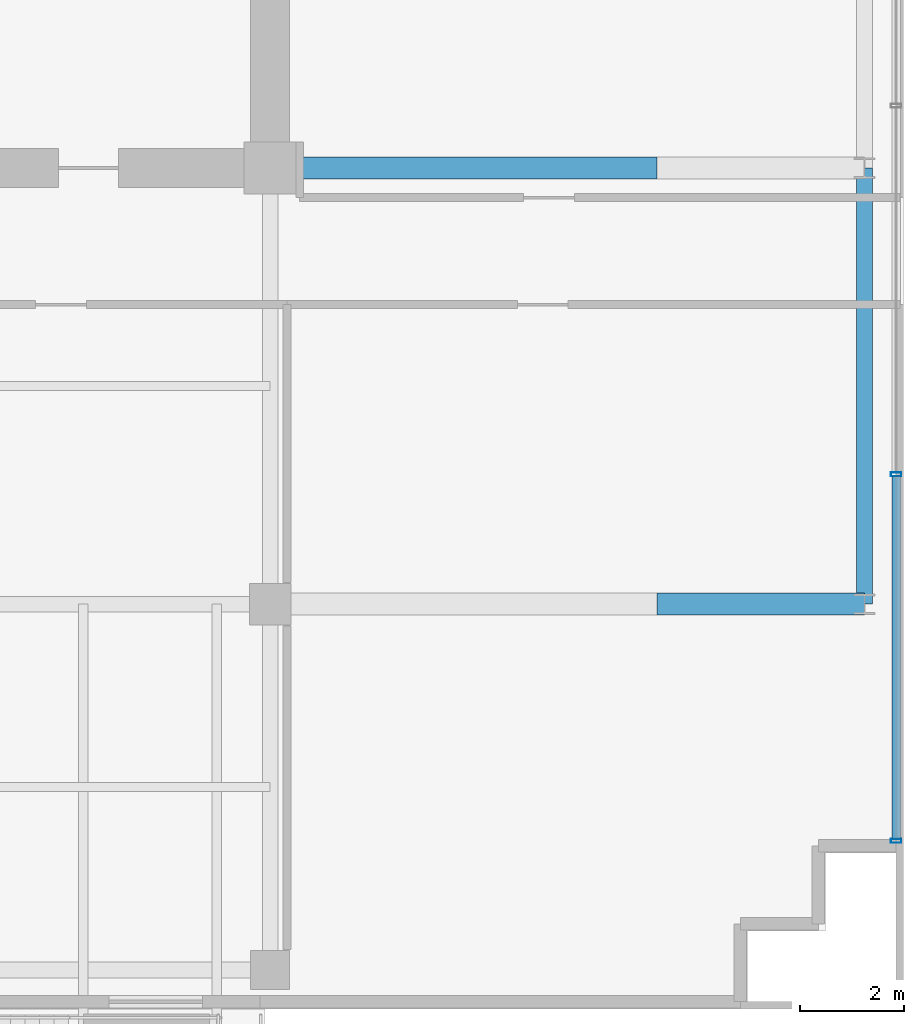
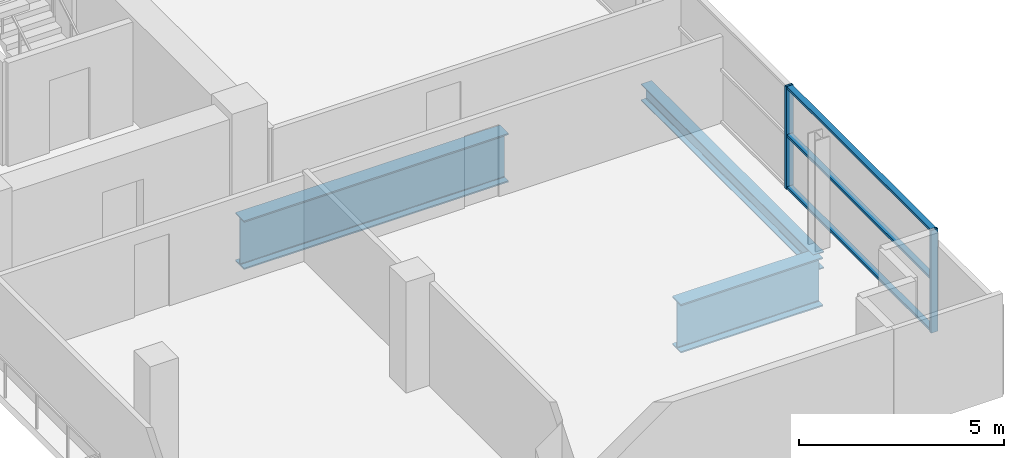
# One storey, part 7 of 23: 5 members, 3 beams, 1 element without a shape of its own.
"""IFC4 building model written with IfcOpenShell, lengths in metres."""

from ifc_helpers import new_model, si_unit, direction, frame, origin, origin_2d, place, context, subcontext, project, spatial, hollow_rectangle, i_section, extrude, source, transform, mapped, material, layer, layer_set, material_profile, profile_set, type_object, element, aggregate, save


model = new_model("IFC4")

# Units and contexts
model_context = context("Model", 3, precision=1e-05, world=origin(), true_north=direction((0.0, 1.0)))
body_context = subcontext(model_context, "Body", "Model", "MODEL_VIEW")
ifc_project = project(units=[si_unit("LENGTHUNIT", "METRE"), si_unit("AREAUNIT", "SQUARE_METRE"), si_unit("VOLUMEUNIT", "CUBIC_METRE"), si_unit("PLANEANGLEUNIT", "RADIAN"), si_unit("MASSUNIT", "GRAM", prefix="KILO")], contexts=[model_context])

# Site, building, storey
site_placement = place(None, origin())
site = spatial("IfcSite", under=ifc_project, at=site_placement, CompositionType="ELEMENT")
building_placement = place(site_placement, origin())
building = spatial("IfcBuilding", under=site, at=building_placement, Name="Zarnakvel Exchange Tower", CompositionType="ELEMENT")
storey_placement = place(building_placement, frame((0.0, 0.0, 172.60009765625)))
storey = spatial("IfcBuildingStorey", under=building, at=storey_placement, Name="L48", CompositionType="ELEMENT", Elevation=172.60009765625)

# Beams
ifc_material_1 = material(Name="Steel S355", Category="steel")
ifc_material_profile_1 = material_profile(ifc_material_1, i_section(OverallWidth=0.300048828125, OverallDepth=0.5, WebThickness=0.014404296875, FlangeThickness=0.028076171875, FilletRadius=0.027099609375, at=origin_2d()))
ifc_profile_set_1 = profile_set([ifc_material_profile_1], Name="Steel S355")
beam_type_1 = type_object("IfcBeamType", Name="SP-02", PredefinedType="SPANDREL", material=ifc_profile_set_1)
beam_1_placement = place(storey_placement, frame((25.85009765625, -9.60009765625, -0.47509765625), z_axis=(0.0, 1.0, 0.0), x_axis=(-1.0, 0.0, 0.0)))
element("IfcBeam", 1, at=beam_1_placement, inside=storey, type_object=beam_type_1, Name="L48 Tower N-S Frame Beam", PredefinedType="SPANDREL", context=body_context, shape_type="SweptSolid", body=[
    extrude(i_section(OverallWidth=0.300048828125, OverallDepth=0.5, WebThickness=0.014404296875, FlangeThickness=0.028076171875, FilletRadius=0.027099609375, at=origin_2d()), origin(), (0.0, 0.0, 1.0), 8.400146484375),
])
ifc_material_2 = material(Name="Steel S460", Category="steel")
ifc_material_profile_2 = material_profile(ifc_material_2, i_section(OverallWidth=0.419921875, OverallDepth=1.449951171875, WebThickness=0.02392578125, FlangeThickness=0.0400390625, FilletRadius=0.030029296875, at=origin_2d()))
ifc_profile_set_2 = profile_set([ifc_material_profile_2], Name="Steel S460")
beam_type_2 = type_object("IfcBeamType", Name="TG-01", PredefinedType="BEAM", material=ifc_profile_set_2)
beam_2_placement = place(storey_placement, frame((21.85009765625, -9.60009765625, -0.9501953125), z_axis=(1.0, 0.0, 0.0), x_axis=(0.0, 1.0, 0.0)))
element("IfcBeam", 2, at=beam_2_placement, inside=storey, type_object=beam_type_2, Name="L48 Block-Shift Cantilever Transfer TE-C", PredefinedType="BEAM", context=body_context, shape_type="SweptSolid", body=[
    extrude(i_section(OverallWidth=0.419921875, OverallDepth=1.449951171875, WebThickness=0.02392578125, FlangeThickness=0.0400390625, FilletRadius=0.030029296875, at=origin_2d()), origin(), (0.0, 0.0, 1.0), 4.0),
])
beam_3_placement = place(storey_placement, frame((14.39990234375, -1.199951171875, -0.9501953125), z_axis=(1.0, 0.0, 0.0), x_axis=(0.0, 1.0, 0.0)))
element("IfcBeam", 3, at=beam_3_placement, inside=storey, type_object=beam_type_2, Name="L48 Block-Shift Backspan Transfer TE-D", PredefinedType="BEAM", context=body_context, shape_type="SweptSolid", body=[
    extrude(i_section(OverallWidth=0.419921875, OverallDepth=1.449951171875, WebThickness=0.02392578125, FlangeThickness=0.0400390625, FilletRadius=0.030029296875, at=origin_2d()), origin(), (0.0, 0.0, 1.0), 7.4501953125),
])

# Curtain wall, members
ifc_material_3 = material(Name="Architectural Bronze Anodised Aluminium", Category="aluminium")
ifc_layer = layer(ifc_material_3, 0.199951171875)
ifc_layer_set = layer_set([ifc_layer], Name="Architectural Bronze Anodised Aluminium")
curtain_wall_type = type_object("IfcCurtainWallType", Name="CW-04", PredefinedType="NOTDEFINED", material=ifc_layer_set)
curtain_wall_placement = place(storey_placement, origin())
curtain_wall = element("IfcCurtainWall", 4, at=curtain_wall_placement, inside=storey, type_object=curtain_wall_type, Name="L48 Curtain Wall CW-L48-E1 (CW-04)", PredefinedType="NOTDEFINED")
ifc_material_profile_3 = material_profile(ifc_material_3, hollow_rectangle(XDim=0.199951171875, YDim=0.074951171875, WallThickness=0.0048828125, at=origin_2d()))
ifc_profile_set_3 = profile_set([ifc_material_profile_3], Name="Architectural Bronze Anodised Aluminium")
member_type_1 = type_object("IfcMemberType", Name="CWM-04", PredefinedType="MULLION", material=ifc_profile_set_3)
shared_shape_1 = source(origin(), body_context, "Body", "SweptSolid", [
    extrude(hollow_rectangle(XDim=0.199951171875, YDim=0.074951171875, WallThickness=0.0048828125, at=origin_2d()), origin(), (0.0, 0.0, 1.0), 3.054931640625),
])
member_1_placement = place(storey_placement, frame((26.4599609375, -14.16259765625, 0.0), z_axis=(0.0, 0.0, 1.0), x_axis=(-1.0, 0.0, 0.0)))
member_1 = element("IfcMember", 5, at=member_1_placement, type_object=member_type_1, Name="CW-04 mullion 1", PredefinedType="MULLION", context=body_context, shape_type="MappedRepresentation", body=[
    mapped(shared_shape_1, transform((0.0, 0.0, 0.0), x_axis=(1.0, 0.0, 0.0), y_axis=(0.0, 1.0, 0.0), z_axis=(0.0, 0.0, 1.0), scale=1.0)),
])
member_2_placement = place(storey_placement, frame((26.4599609375, -7.10009765625, 0.0), z_axis=(0.0, 0.0, 1.0), x_axis=(-1.0, 0.0, 0.0)))
member_2 = element("IfcMember", 6, at=member_2_placement, type_object=member_type_1, Name="CW-04 mullion 2", PredefinedType="MULLION", context=body_context, shape_type="MappedRepresentation", body=[
    mapped(shared_shape_1, transform((0.0, 0.0, 0.0), x_axis=(1.0, 0.0, 0.0), y_axis=(0.0, 1.0, 0.0), z_axis=(0.0, 0.0, 1.0), scale=1.0)),
])
ifc_material_profile_4 = material_profile(ifc_material_3, hollow_rectangle(XDim=0.159912109375, YDim=0.074951171875, WallThickness=0.00390625, at=origin_2d()))
ifc_profile_set_4 = profile_set([ifc_material_profile_4], Name="Architectural Bronze Anodised Aluminium")
member_type_2 = type_object("IfcMemberType", Name="CWT-04", PredefinedType="USERDEFINED", material=ifc_profile_set_4)
shared_shape_2 = source(origin(), body_context, "Body", "SweptSolid", [
    extrude(hollow_rectangle(XDim=0.159912109375, YDim=0.074951171875, WallThickness=0.00390625, at=origin_2d()), origin(), (0.0, 0.0, 1.0), 6.987548828125),
])
member_3_placement = place(storey_placement, frame((26.4599609375, -14.125, 0.037353515625), z_axis=(0.0, 1.0, 0.0), x_axis=(-1.0, 0.0, 0.0)))
member_3 = element("IfcMember", 7, at=member_3_placement, type_object=member_type_2, Name="CW-04 transom 1.1", ObjectType="TRANSOM", PredefinedType="USERDEFINED", context=body_context, shape_type="MappedRepresentation", body=[
    mapped(shared_shape_2, transform((0.0, 0.0, 0.0), x_axis=(1.0, 0.0, 0.0), y_axis=(0.0, 1.0, 0.0), z_axis=(0.0, 0.0, 1.0), scale=1.0)),
])
member_4_placement = place(storey_placement, frame((26.4599609375, -14.125, 1.588623046875), z_axis=(0.0, 1.0, 0.0), x_axis=(-1.0, 0.0, 0.0)))
member_4 = element("IfcMember", 8, at=member_4_placement, type_object=member_type_2, Name="CW-04 transom 1.2", ObjectType="TRANSOM", PredefinedType="USERDEFINED", context=body_context, shape_type="MappedRepresentation", body=[
    mapped(shared_shape_2, transform((0.0, 0.0, 0.0), x_axis=(1.0, 0.0, 0.0), y_axis=(0.0, 1.0, 0.0), z_axis=(0.0, 0.0, 1.0), scale=1.0)),
])
member_5_placement = place(storey_placement, frame((26.4599609375, -14.125, 3.017333984375), z_axis=(0.0, 1.0, 0.0), x_axis=(-1.0, 0.0, 0.0)))
member_5 = element("IfcMember", 9, at=member_5_placement, type_object=member_type_2, Name="CW-04 transom 1.3", ObjectType="TRANSOM", PredefinedType="USERDEFINED", context=body_context, shape_type="MappedRepresentation", body=[
    mapped(shared_shape_2, transform((0.0, 0.0, 0.0), x_axis=(1.0, 0.0, 0.0), y_axis=(0.0, 1.0, 0.0), z_axis=(0.0, 0.0, 1.0), scale=1.0)),
])
aggregate(curtain_wall, [member_1, member_2, member_3, member_4, member_5])

save(model, "model.ifc")
